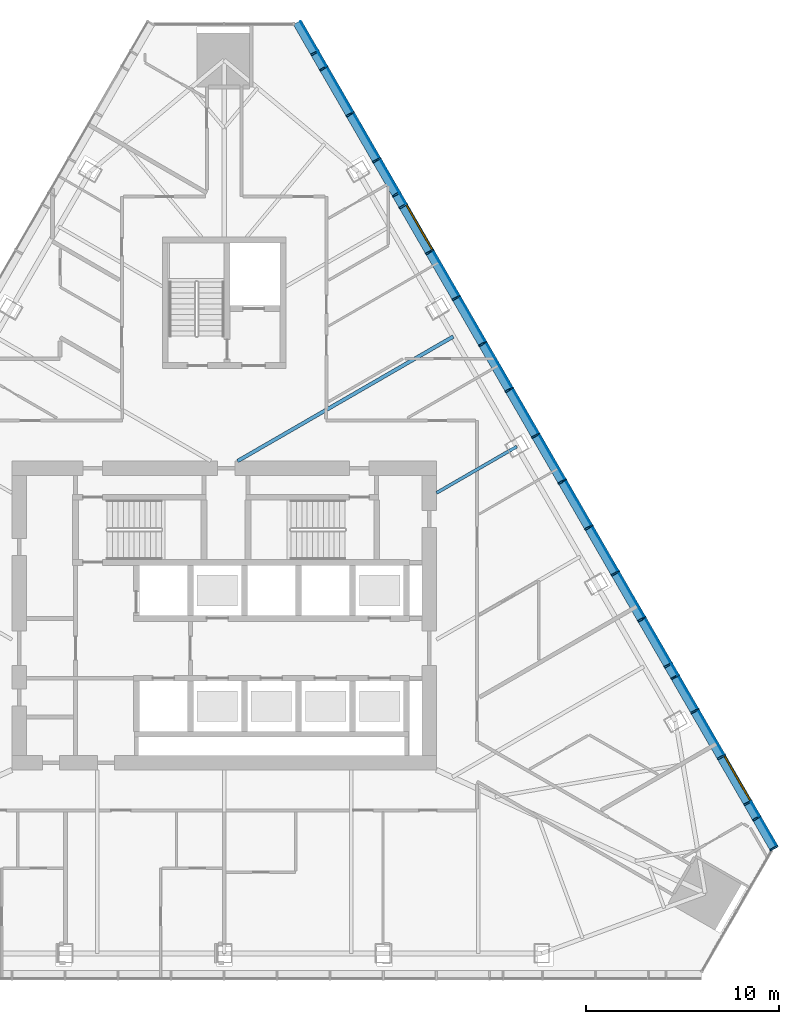
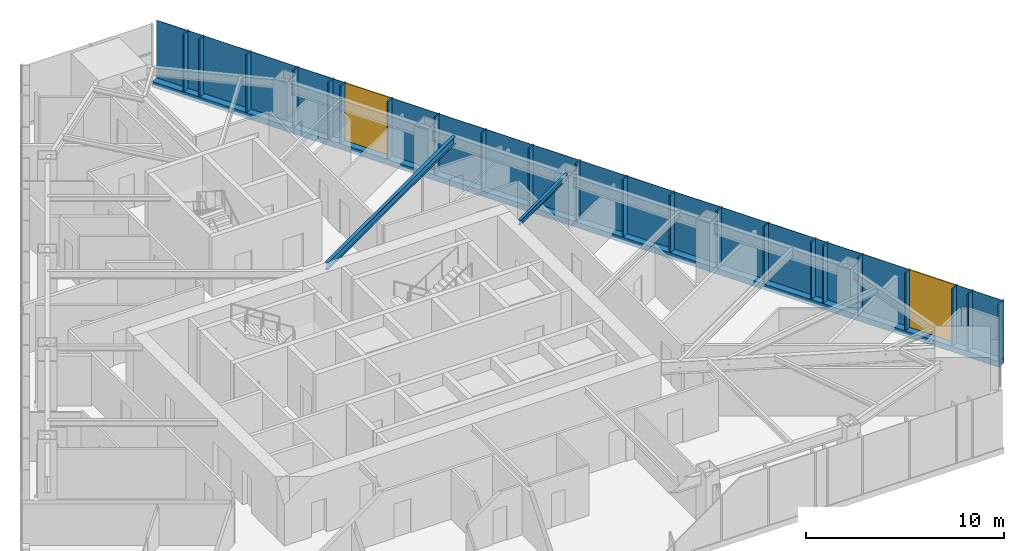
# One storey, part 7 of 16: 23 members, 20 plates, 2 beams, 2 windows, 2 openings, 1 element without a shape of its own.
"""IFC4 building model written with IfcOpenShell, lengths in metres."""

from ifc_helpers import new_model, si_unit, direction, frame, frame_2d, origin, origin_2d, place, context, subcontext, project, spatial, polyline, rectangle, i_section, outline, extrude, material, layer, layer_set, material_profile, profile_set, type_object, element, fill, aggregate, save


model = new_model("IFC4")

# Units and contexts
model_context = context("Model", 3, precision=1e-05, world=origin(), true_north=direction((0.0, 1.0)))
body_context = subcontext(model_context, "Body", "Model", "MODEL_VIEW")
ifc_project = project(units=[si_unit("LENGTHUNIT", "METRE"), si_unit("AREAUNIT", "SQUARE_METRE"), si_unit("VOLUMEUNIT", "CUBIC_METRE"), si_unit("PLANEANGLEUNIT", "RADIAN"), si_unit("MASSUNIT", "GRAM", prefix="KILO")], contexts=[model_context])

# Site, building, storey
site_placement = place(None, origin())
site = spatial("IfcSite", under=ifc_project, at=site_placement, CompositionType="ELEMENT")
building_placement = place(site_placement, origin())
building = spatial("IfcBuilding", under=site, at=building_placement, Name="Firuza Gate Tower and Library", CompositionType="ELEMENT")
storey_placement = place(building_placement, frame((0.0, 0.0, 229.89990234375)))
storey = spatial("IfcBuildingStorey", under=building, at=storey_placement, Name="L54", CompositionType="ELEMENT", Elevation=229.89990234375)

# Curtain wall, openings, members
ifc_material_1 = material(Name="Aluminium 6063-T6", Category="aluminium")
ifc_layer_1 = layer(ifc_material_1, 0.14990234375)
ifc_layer_set_1 = layer_set([ifc_layer_1], Name="Unitised curtain wall, hotel")
curtain_wall_type = type_object("IfcCurtainWallType", Name="Unitised curtain wall, hotel", PredefinedType="NOTDEFINED", material=ifc_layer_set_1)
curtain_wall_placement = place(storey_placement, origin())
curtain_wall = element("IfcCurtainWall", 1, at=curtain_wall_placement, inside=storey, type_object=curtain_wall_type, Name="CW2 L54 E face", PredefinedType="NOTDEFINED")
opening_1_placement = place(curtain_wall_placement, frame((102.255615234375, 65.40966796875, 0.150146484375), z_axis=(0.0, 0.0, 1.0), x_axis=(-0.5, 0.866025, 0.0)))
opening_1 = element("IfcOpeningElement", 2, at=opening_1_placement, cuts=curtain_wall, Name="Opening WD1-001", PredefinedType="OPENING", context=body_context, shape_type="SweptSolid", body=[
    extrude(rectangle(XDim=2.666748046875, YDim=3.550048828125, at=frame_2d((1.33349609375, 1.77490234375))), frame((0.0, 0.0849609375, 0.0), z_axis=(0.0, -1.0, 0.0), x_axis=(1.0, 0.0, 0.0)), (0.0, 0.0, 1.0), 0.169921875),
])
opening_2_placement = place(curtain_wall_placement, frame((85.775634765625, 93.953857421875, 0.150146484375), z_axis=(0.0, 0.0, 1.0), x_axis=(-0.5, 0.866025, 0.0)))
opening_2 = element("IfcOpeningElement", 3, at=opening_2_placement, cuts=curtain_wall, Name="Opening WD1-002", PredefinedType="OPENING", context=body_context, shape_type="SweptSolid", body=[
    extrude(rectangle(XDim=2.666748046875, YDim=3.550048828125, at=frame_2d((1.33349609375, 1.77490234375))), frame((0.0, 0.0849609375, 0.0), z_axis=(0.0, -1.0, 0.0), x_axis=(1.0, 0.0, 0.0)), (0.0, 0.0, 1.0), 0.169921875),
])
ifc_material_2 = material(Name="Aluminium 6063-T6", Category="aluminium")
ifc_material_profile_1 = material_profile(ifc_material_2, rectangle(XDim=0.47998046875, YDim=0.080078125, at=origin_2d()))
ifc_profile_set_1 = profile_set([ifc_material_profile_1], Name="Aluminium 6063-T6")
member_type_1 = type_object("IfcMemberType", Name="Curtain wall mullion 80x480", PredefinedType="MULLION", material=ifc_profile_set_1)
member_1_placement = place(storey_placement, frame((103.486083984375, 62.948486328125, 0.150146484375), z_axis=(0.0, 0.0, 1.0), x_axis=(-0.866025403784, -0.5, 0.0)))
member_1 = element("IfcMember", 4, at=member_1_placement, type_object=member_type_1, Name="Mullion", PredefinedType="MULLION", context=body_context, shape_type="SweptSolid", body=[
    extrude(rectangle(XDim=0.47998046875, YDim=0.080078125, at=origin_2d()), origin(), (0.0, 0.0, 1.0), 3.550048828125),
])
member_2_placement = place(storey_placement, frame((102.1328125, 65.29248046875, 0.150146484375), z_axis=(0.0, 0.0, 1.0), x_axis=(-0.866025403784, -0.5, 0.0)))
member_2 = element("IfcMember", 5, at=member_2_placement, type_object=member_type_1, Name="Mullion", PredefinedType="MULLION", context=body_context, shape_type="SweptSolid", body=[
    extrude(rectangle(XDim=0.47998046875, YDim=0.080078125, at=origin_2d()), origin(), (0.0, 0.0, 1.0), 3.550048828125),
])
member_3_placement = place(storey_placement, frame((100.759521484375, 67.671142578125, 0.150146484375), z_axis=(0.0, 0.0, 1.0), x_axis=(-0.866025403784, -0.5, 0.0)))
member_3 = element("IfcMember", 6, at=member_3_placement, type_object=member_type_1, Name="Mullion", PredefinedType="MULLION", context=body_context, shape_type="SweptSolid", body=[
    extrude(rectangle(XDim=0.47998046875, YDim=0.080078125, at=origin_2d()), origin(), (0.0, 0.0, 1.0), 3.550048828125),
])
member_4_placement = place(storey_placement, frame((99.38623046875, 70.050048828125, 0.150146484375), z_axis=(0.0, 0.0, 1.0), x_axis=(-0.866025403784, -0.5, 0.0)))
member_4 = element("IfcMember", 7, at=member_4_placement, type_object=member_type_1, Name="Mullion", PredefinedType="MULLION", context=body_context, shape_type="SweptSolid", body=[
    extrude(rectangle(XDim=0.47998046875, YDim=0.080078125, at=origin_2d()), origin(), (0.0, 0.0, 1.0), 3.550048828125),
])
member_5_placement = place(storey_placement, frame((98.0126953125, 72.4287109375, 0.150146484375), z_axis=(0.0, 0.0, 1.0), x_axis=(-0.866025403784, -0.5, 0.0)))
member_5 = element("IfcMember", 8, at=member_5_placement, type_object=member_type_1, Name="Mullion", PredefinedType="MULLION", context=body_context, shape_type="SweptSolid", body=[
    extrude(rectangle(XDim=0.47998046875, YDim=0.080078125, at=origin_2d()), origin(), (0.0, 0.0, 1.0), 3.550048828125),
])
member_6_placement = place(storey_placement, frame((96.639404296875, 74.807373046875, 0.150146484375), z_axis=(0.0, 0.0, 1.0), x_axis=(-0.866025403784, -0.5, 0.0)))
member_6 = element("IfcMember", 9, at=member_6_placement, type_object=member_type_1, Name="Mullion", PredefinedType="MULLION", context=body_context, shape_type="SweptSolid", body=[
    extrude(rectangle(XDim=0.47998046875, YDim=0.080078125, at=origin_2d()), origin(), (0.0, 0.0, 1.0), 3.550048828125),
])
member_7_placement = place(storey_placement, frame((95.26611328125, 77.18603515625, 0.150146484375), z_axis=(0.0, 0.0, 1.0), x_axis=(-0.866025403784, -0.5, 0.0)))
member_7 = element("IfcMember", 10, at=member_7_placement, type_object=member_type_1, Name="Mullion", PredefinedType="MULLION", context=body_context, shape_type="SweptSolid", body=[
    extrude(rectangle(XDim=0.47998046875, YDim=0.080078125, at=origin_2d()), origin(), (0.0, 0.0, 1.0), 3.550048828125),
])
member_8_placement = place(storey_placement, frame((93.892822265625, 79.564697265625, 0.150146484375), z_axis=(0.0, 0.0, 1.0), x_axis=(-0.866025403784, -0.5, 0.0)))
member_8 = element("IfcMember", 11, at=member_8_placement, type_object=member_type_1, Name="Mullion", PredefinedType="MULLION", context=body_context, shape_type="SweptSolid", body=[
    extrude(rectangle(XDim=0.47998046875, YDim=0.080078125, at=origin_2d()), origin(), (0.0, 0.0, 1.0), 3.550048828125),
])
member_9_placement = place(storey_placement, frame((92.51953125, 81.943359375, 0.150146484375), z_axis=(0.0, 0.0, 1.0), x_axis=(-0.866025403784, -0.5, 0.0)))
member_9 = element("IfcMember", 12, at=member_9_placement, type_object=member_type_1, Name="Mullion", PredefinedType="MULLION", context=body_context, shape_type="SweptSolid", body=[
    extrude(rectangle(XDim=0.47998046875, YDim=0.080078125, at=origin_2d()), origin(), (0.0, 0.0, 1.0), 3.550048828125),
])
member_10_placement = place(storey_placement, frame((91.146240234375, 84.322021484375, 0.150146484375), z_axis=(0.0, 0.0, 1.0), x_axis=(-0.866025403784, -0.5, 0.0)))
member_10 = element("IfcMember", 13, at=member_10_placement, type_object=member_type_1, Name="Mullion", PredefinedType="MULLION", context=body_context, shape_type="SweptSolid", body=[
    extrude(rectangle(XDim=0.47998046875, YDim=0.080078125, at=origin_2d()), origin(), (0.0, 0.0, 1.0), 3.550048828125),
])
member_11_placement = place(storey_placement, frame((89.77294921875, 86.70068359375, 0.150146484375), z_axis=(0.0, 0.0, 1.0), x_axis=(-0.866025403784, -0.5, 0.0)))
member_11 = element("IfcMember", 14, at=member_11_placement, type_object=member_type_1, Name="Mullion", PredefinedType="MULLION", context=body_context, shape_type="SweptSolid", body=[
    extrude(rectangle(XDim=0.47998046875, YDim=0.080078125, at=origin_2d()), origin(), (0.0, 0.0, 1.0), 3.550048828125),
])
member_12_placement = place(storey_placement, frame((88.3994140625, 89.079345703125, 0.150146484375), z_axis=(0.0, 0.0, 1.0), x_axis=(-0.866025403784, -0.5, 0.0)))
member_12 = element("IfcMember", 15, at=member_12_placement, type_object=member_type_1, Name="Mullion", PredefinedType="MULLION", context=body_context, shape_type="SweptSolid", body=[
    extrude(rectangle(XDim=0.47998046875, YDim=0.080078125, at=origin_2d()), origin(), (0.0, 0.0, 1.0), 3.550048828125),
])
member_13_placement = place(storey_placement, frame((87.026123046875, 91.4580078125, 0.150146484375), z_axis=(0.0, 0.0, 1.0), x_axis=(-0.866025403784, -0.5, 0.0)))
member_13 = element("IfcMember", 16, at=member_13_placement, type_object=member_type_1, Name="Mullion", PredefinedType="MULLION", context=body_context, shape_type="SweptSolid", body=[
    extrude(rectangle(XDim=0.47998046875, YDim=0.080078125, at=origin_2d()), origin(), (0.0, 0.0, 1.0), 3.550048828125),
])
member_14_placement = place(storey_placement, frame((85.65283203125, 93.836669921875, 0.150146484375), z_axis=(0.0, 0.0, 1.0), x_axis=(-0.866025403784, -0.5, 0.0)))
member_14 = element("IfcMember", 17, at=member_14_placement, type_object=member_type_1, Name="Mullion", PredefinedType="MULLION", context=body_context, shape_type="SweptSolid", body=[
    extrude(rectangle(XDim=0.47998046875, YDim=0.080078125, at=origin_2d()), origin(), (0.0, 0.0, 1.0), 3.550048828125),
])
member_15_placement = place(storey_placement, frame((84.279541015625, 96.21533203125, 0.150146484375), z_axis=(0.0, 0.0, 1.0), x_axis=(-0.866025403784, -0.5, 0.0)))
member_15 = element("IfcMember", 18, at=member_15_placement, type_object=member_type_1, Name="Mullion", PredefinedType="MULLION", context=body_context, shape_type="SweptSolid", body=[
    extrude(rectangle(XDim=0.47998046875, YDim=0.080078125, at=origin_2d()), origin(), (0.0, 0.0, 1.0), 3.550048828125),
])
member_16_placement = place(storey_placement, frame((82.90625, 98.593994140625, 0.150146484375), z_axis=(0.0, 0.0, 1.0), x_axis=(-0.866025403784, -0.5, 0.0)))
member_16 = element("IfcMember", 19, at=member_16_placement, type_object=member_type_1, Name="Mullion", PredefinedType="MULLION", context=body_context, shape_type="SweptSolid", body=[
    extrude(rectangle(XDim=0.47998046875, YDim=0.080078125, at=origin_2d()), origin(), (0.0, 0.0, 1.0), 3.550048828125),
])
member_17_placement = place(storey_placement, frame((81.532958984375, 100.97265625, 0.150146484375), z_axis=(0.0, 0.0, 1.0), x_axis=(-0.866025403784, -0.5, 0.0)))
member_17 = element("IfcMember", 20, at=member_17_placement, type_object=member_type_1, Name="Mullion", PredefinedType="MULLION", context=body_context, shape_type="SweptSolid", body=[
    extrude(rectangle(XDim=0.47998046875, YDim=0.080078125, at=origin_2d()), origin(), (0.0, 0.0, 1.0), 3.550048828125),
])
member_18_placement = place(storey_placement, frame((80.159423828125, 103.351318359375, 0.150146484375), z_axis=(0.0, 0.0, 1.0), x_axis=(-0.866025403784, -0.5, 0.0)))
member_18 = element("IfcMember", 21, at=member_18_placement, type_object=member_type_1, Name="Mullion", PredefinedType="MULLION", context=body_context, shape_type="SweptSolid", body=[
    extrude(rectangle(XDim=0.47998046875, YDim=0.080078125, at=origin_2d()), origin(), (0.0, 0.0, 1.0), 3.550048828125),
])
member_19_placement = place(storey_placement, frame((102.591796875, 64.49755859375, 0.150146484375), z_axis=(0.0, 0.0, 1.0), x_axis=(-0.866025403784, -0.5, 0.0)))
member_19 = element("IfcMember", 22, at=member_19_placement, type_object=member_type_1, Name="Mullion", PredefinedType="MULLION", context=body_context, shape_type="SweptSolid", body=[
    extrude(rectangle(XDim=0.47998046875, YDim=0.080078125, at=origin_2d()), origin(), (0.0, 0.0, 1.0), 3.550048828125),
])
member_20_placement = place(storey_placement, frame((98.364013671875, 71.8203125, 0.150146484375), z_axis=(0.0, 0.0, 1.0), x_axis=(-0.866025403784, -0.5, 0.0)))
member_20 = element("IfcMember", 23, at=member_20_placement, type_object=member_type_1, Name="Mullion", PredefinedType="MULLION", context=body_context, shape_type="SweptSolid", body=[
    extrude(rectangle(XDim=0.47998046875, YDim=0.080078125, at=origin_2d()), origin(), (0.0, 0.0, 1.0), 3.550048828125),
])
member_21_placement = place(storey_placement, frame((83.928466796875, 96.823486328125, 0.150146484375), z_axis=(0.0, 0.0, 1.0), x_axis=(-0.866025403784, -0.5, 0.0)))
member_21 = element("IfcMember", 24, at=member_21_placement, type_object=member_type_1, Name="Mullion", PredefinedType="MULLION", context=body_context, shape_type="SweptSolid", body=[
    extrude(rectangle(XDim=0.47998046875, YDim=0.080078125, at=origin_2d()), origin(), (0.0, 0.0, 1.0), 3.550048828125),
])
member_22_placement = place(storey_placement, frame((79.700439453125, 104.146484375, 0.150146484375), z_axis=(0.0, 0.0, 1.0), x_axis=(-0.866025403784, -0.5, 0.0)))
member_22 = element("IfcMember", 25, at=member_22_placement, type_object=member_type_1, Name="Mullion", PredefinedType="MULLION", context=body_context, shape_type="SweptSolid", body=[
    extrude(rectangle(XDim=0.47998046875, YDim=0.080078125, at=origin_2d()), origin(), (0.0, 0.0, 1.0), 3.550048828125),
])
ifc_material_3 = material(Name="Aluminium 6063-T6", Category="aluminium")
ifc_material_profile_2 = material_profile(ifc_material_3, rectangle(XDim=0.47998046875, YDim=0.35009765625, at=origin_2d()))
ifc_profile_set_2 = profile_set([ifc_material_profile_2], Name="Aluminium 6063-T6")
member_type_2 = type_object("IfcMemberType", Name="Curtain wall transom 350x480", PredefinedType="USERDEFINED", material=ifc_profile_set_2)
member_23_placement = place(storey_placement, frame((103.506103515625, 62.913818359375, -0.02490234375), z_axis=(-0.500000727908, 0.866024983526, 0.0), x_axis=(-0.866024983526, -0.500000727908, 0.0)))
member_23 = element("IfcMember", 26, at=member_23_placement, type_object=member_type_2, Name="Transom", ObjectType="TRANSOM", PredefinedType="USERDEFINED", context=body_context, shape_type="SweptSolid", body=[
    extrude(rectangle(XDim=0.47998046875, YDim=0.35009765625, at=origin_2d()), origin(), (0.0, 0.0, 1.0), 49.43994140625),
])

# Beams
ifc_material_4 = material(Name="Steel S355", Category="steel")
ifc_material_profile_3 = material_profile(ifc_material_4, i_section(OverallWidth=0.1650390625, OverallDepth=0.31005859375, WebThickness=0.005859375, FlangeThickness=0.009765625, at=origin_2d()))
ifc_profile_set_3 = profile_set([ifc_material_profile_3], Name="Steel S355")
beam_type_1 = type_object("IfcBeamType", Name="W310x39 Floor beam", PredefinedType="JOIST", material=ifc_profile_set_3)
beam_1_placement = place(storey_placement, frame((90.158935546875, 83.751953125, 3.545166015625), z_axis=(-0.866028966346, -0.499993829411, 0.0), x_axis=(0.499993829411, -0.866028966346, 0.0)))
element("IfcBeam", 27, at=beam_1_placement, inside=storey, type_object=beam_type_1, Name="Floor beam L54 s52", PredefinedType="JOIST", context=body_context, shape_type="SweptSolid", body=[
    extrude(i_section(OverallWidth=0.1650390625, OverallDepth=0.31005859375, WebThickness=0.005859375, FlangeThickness=0.009765625, at=origin_2d()), origin(), (0.0, 0.0, 1.0), 4.80224609375),
])
ifc_material_5 = material(Name="Steel S355", Category="steel")
ifc_material_profile_4 = material_profile(ifc_material_5, i_section(OverallWidth=0.18994140625, OverallDepth=0.45703125, WebThickness=0.009033203125, FlangeThickness=0.014404296875, at=origin_2d()))
ifc_profile_set_4 = profile_set([ifc_material_profile_4], Name="Steel S355")
beam_type_2 = type_object("IfcBeamType", Name="W460x74 Floor beam", PredefinedType="JOIST", material=ifc_profile_set_4)
beam_2_placement = place(storey_placement, frame((86.86865234375, 89.450927734375, 3.4716796875), z_axis=(-0.866020774712, -0.500008017704, 0.0), x_axis=(0.500008017704, -0.866020774712, 0.0)))
element("IfcBeam", 28, at=beam_2_placement, inside=storey, type_object=beam_type_2, Name="Floor beam L54 s53", PredefinedType="JOIST", context=body_context, shape_type="SweptSolid", body=[
    extrude(i_section(OverallWidth=0.18994140625, OverallDepth=0.45703125, WebThickness=0.009033203125, FlangeThickness=0.014404296875, at=origin_2d()), origin(), (0.0, 0.0, 1.0), 12.901611328125),
])

# Plate
ifc_material_6 = material(Name="Fritted glass", Category="glass")
ifc_layer_2 = layer(ifc_material_6, 0.030029296875)
ifc_layer_set_2 = layer_set([ifc_layer_2], Name="Fritted glass unit, hotel")
plate_type_1 = type_object("IfcPlateType", Name="Fritted glass unit, hotel", PredefinedType="CURTAIN_PANEL", material=ifc_layer_set_2)
plate_1_placement = place(storey_placement, frame((102.727783203125, 64.622314453125, 0.150146484375), z_axis=(0.865884704285, 0.500243619535, 0.0), x_axis=(-0.500243619535, 0.865884704285, 0.0)))
plate_1 = element("IfcPlate", 29, at=plate_1_placement, type_object=plate_type_1, Name="Glass unit", PredefinedType="CURTAIN_PANEL", context=body_context, shape_type="SweptSolid", body=[
    extrude(outline(polyline([(0.0, 0.0), (0.8379706142276055, 0.0), (0.8379706142276055, 3.550048828125), (0.0, 3.550048828125), (0.0, 0.0)])), origin(), (0.0, 0.0, -1.0), 0.030029296875),
])

plate_2_placement = place(storey_placement, frame((98.499755859375, 71.945068359375, 0.150146484375), z_axis=(0.866061432277, 0.499937591627, 0.0), x_axis=(-0.499937591627, 0.866061432277, 0.0)))
plate_2 = element("IfcPlate", 30, at=plate_2_placement, type_object=plate_type_1, Name="Glass unit", PredefinedType="CURTAIN_PANEL", context=body_context, shape_type="SweptSolid", body=[
    extrude(outline(polyline([(0.0, 0.0), (0.622147966984566, 0.0), (0.622147966984566, 3.5500488281249996), (0.0, 3.5500488281249996), (0.0, 0.0)])), origin(), (0.0, 0.0, -1.0), 0.030029296875),
])

plate_3_placement = place(storey_placement, frame((98.148681640625, 72.55322265625, 0.150146484375), z_axis=(0.866031596129, 0.499989274391, 0.0), x_axis=(-0.499989274391, 0.866031596129, 0.0)))
plate_3 = element("IfcPlate", 31, at=plate_3_placement, type_object=plate_type_1, Name="Glass unit", PredefinedType="CURTAIN_PANEL", context=body_context, shape_type="SweptSolid", body=[
    extrude(outline(polyline([(0.0, 0.0), (2.6665611072350224, 0.0), (2.6665611072350224, 3.550048828125001), (0.0, 3.550048828125001), (0.0, 0.0)])), origin(), (0.0, 0.0, -1.0), 0.030029296875),
])

plate_4_placement = place(storey_placement, frame((94.02880859375, 79.689208984375, 0.150146484375), z_axis=(0.866014841347, 0.500018294232, 0.0), x_axis=(-0.500018294232, 0.866014841347, 0.0)))
plate_4 = element("IfcPlate", 32, at=plate_4_placement, type_object=plate_type_1, Name="Glass unit", PredefinedType="CURTAIN_PANEL", context=body_context, shape_type="SweptSolid", body=[
    extrude(outline(polyline([(0.0, 0.0), (2.6668946099214077, 0.0), (2.6668946099214077, 3.550048828125), (0.0, 3.550048828125), (0.0, 0.0)])), origin(), (0.0, 0.0, -1.0), 0.030029296875),
])

plate_5_placement = place(storey_placement, frame((89.90869140625, 86.8251953125, 0.150146484375), z_axis=(0.866054481515, 0.499949632511, 0.0), x_axis=(-0.499949632511, 0.866054481515, 0.0)))
plate_5 = element("IfcPlate", 33, at=plate_5_placement, type_object=plate_type_1, Name="Glass unit", PredefinedType="CURTAIN_PANEL", context=body_context, shape_type="SweptSolid", body=[
    extrude(outline(polyline([(0.0, 0.0), (2.6667725435239085, 0.0), (2.6667725435239085, 3.550048828125001), (0.0, 3.550048828125001), (0.0, 0.0)])), origin(), (0.0, 0.0, -1.0), 0.030029296875),
])

plate_6_placement = place(storey_placement, frame((84.415283203125, 96.340087890625, 0.150146484375), z_axis=(0.866061432277, 0.499937591627, 0.0), x_axis=(-0.499937591627, 0.866061432277, 0.0)))
plate_6 = element("IfcPlate", 34, at=plate_6_placement, type_object=plate_type_1, Name="Glass unit", PredefinedType="CURTAIN_PANEL", context=body_context, shape_type="SweptSolid", body=[
    extrude(outline(polyline([(0.0, 0.0), (0.622147966984566, 0.0), (0.622147966984566, 3.5500488281249996), (0.0, 3.5500488281249996), (0.0, 0.0)])), origin(), (0.0, 0.0, -1.0), 0.030029296875),
])

plate_7_placement = place(storey_placement, frame((81.668701171875, 101.097412109375, 0.150146484375), z_axis=(0.866031596129, 0.499989274391, 0.0), x_axis=(-0.499989274391, 0.866031596129, 0.0)))
plate_7 = element("IfcPlate", 35, at=plate_7_placement, type_object=plate_type_1, Name="Glass unit", PredefinedType="CURTAIN_PANEL", context=body_context, shape_type="SweptSolid", body=[
    extrude(outline(polyline([(0.0, 0.0), (2.6665611072350224, 0.0), (2.6665611072350224, 3.550048828125001), (0.0, 3.550048828125001), (0.0, 0.0)])), origin(), (0.0, 0.0, -1.0), 0.030029296875),
])

plate_8_placement = place(storey_placement, frame((80.29541015625, 103.47607421875, 0.150146484375), z_axis=(0.866010893236, 0.500025132165, 0.0), x_axis=(-0.500025132165, 0.866010893236, 0.0)))
plate_8 = element("IfcPlate", 36, at=plate_8_placement, type_object=plate_type_1, Name="Glass unit", PredefinedType="CURTAIN_PANEL", context=body_context, shape_type="SweptSolid", body=[
    extrude(outline(polyline([(0.0, 0.0), (0.8378485111065582, 0.0), (0.8378485111065582, 3.550048828125), (0.0, 3.550048828125), (0.0, 0.0)])), origin(), (0.0, 0.0, -1.0), 0.030029296875),
])

ifc_material_7 = material(Name="Glazed ceramic tile")
ifc_layer_3 = layer(ifc_material_7, 0.030029296875)
ifc_layer_set_3 = layer_set([ifc_layer_3], Name="Opaque ceramic panel, hotel")
plate_type_2 = type_object("IfcPlateType", Name="Opaque ceramic panel, hotel", PredefinedType="CURTAIN_PANEL", material=ifc_layer_set_3)
plate_9_placement = place(storey_placement, frame((103.64208984375, 63.03857421875, 0.150146484375), z_axis=(0.865983309407, 0.500072902514, 0.0), x_axis=(-0.500072902514, 0.865983309407, 0.0)))
plate_9 = element("IfcPlate", 37, at=plate_9_placement, type_object=plate_type_2, Name="Opaque ceramic panel", PredefinedType="CURTAIN_PANEL", context=body_context, shape_type="SweptSolid", body=[
    extrude(outline(polyline([(0.0, 0.0), (1.748768458265571, 0.0), (1.748768458265571, 3.550048828125), (0.0, 3.550048828125), (0.0, 0.0)])), origin(), (0.0, 0.0, -1.0), 0.030029296875),
])

plate_10_placement = place(storey_placement, frame((100.895263671875, 67.7958984375, 0.150146484375), z_axis=(0.866031596129, 0.499989274391, 0.0), x_axis=(-0.499989274391, 0.866031596129, 0.0)))
plate_10 = element("IfcPlate", 38, at=plate_10_placement, type_object=plate_type_2, Name="Opaque ceramic panel", PredefinedType="CURTAIN_PANEL", context=body_context, shape_type="SweptSolid", body=[
    extrude(outline(polyline([(0.0, 0.0), (2.6665611072350224, 0.0), (2.6665611072350224, 3.550048828125001), (0.0, 3.550048828125001), (0.0, 0.0)])), origin(), (0.0, 0.0, -1.0), 0.030029296875),
])

plate_11_placement = place(storey_placement, frame((99.52197265625, 70.174560546875, 0.150146484375), z_axis=(0.86602414853, 0.500002174158, 0.0), x_axis=(-0.500002174158, 0.86602414853, 0.0)))
plate_11 = element("IfcPlate", 39, at=plate_11_placement, type_object=plate_type_2, Name="Opaque ceramic panel", PredefinedType="CURTAIN_PANEL", context=body_context, shape_type="SweptSolid", body=[
    extrude(outline(polyline([(0.0, 0.0), (1.9643469271472958, 0.0), (1.9643469271472958, 3.550048828125), (0.0, 3.550048828125), (0.0, 0.0)])), origin(), (0.0, 0.0, -1.0), 0.030029296875),
])

plate_12_placement = place(storey_placement, frame((96.775390625, 74.931884765625, 0.150146484375), z_axis=(0.866031596129, 0.499989274391, 0.0), x_axis=(-0.499989274391, 0.866031596129, 0.0)))
plate_12 = element("IfcPlate", 40, at=plate_12_placement, type_object=plate_type_2, Name="Opaque ceramic panel", PredefinedType="CURTAIN_PANEL", context=body_context, shape_type="SweptSolid", body=[
    extrude(outline(polyline([(0.0, 0.0), (2.6665611072350224, 0.0), (2.6665611072350224, 3.550048828125001), (0.0, 3.550048828125001), (0.0, 0.0)])), origin(), (0.0, 0.0, -1.0), 0.030029296875),
])

plate_13_placement = place(storey_placement, frame((95.402099609375, 77.310546875, 0.150146484375), z_axis=(0.866014841347, 0.500018294232, 0.0), x_axis=(-0.500018294232, 0.866014841347, 0.0)))
plate_13 = element("IfcPlate", 41, at=plate_13_placement, type_object=plate_type_2, Name="Opaque ceramic panel", PredefinedType="CURTAIN_PANEL", context=body_context, shape_type="SweptSolid", body=[
    extrude(outline(polyline([(0.0, 0.0), (2.6668946099214077, 0.0), (2.6668946099214077, 3.550048828125), (0.0, 3.550048828125), (0.0, 0.0)])), origin(), (0.0, 0.0, -1.0), 0.030029296875),
])

plate_14_placement = place(storey_placement, frame((92.6552734375, 82.06787109375, 0.150146484375), z_axis=(0.866054481515, 0.499949632511, 0.0), x_axis=(-0.499949632511, 0.866054481515, 0.0)))
plate_14 = element("IfcPlate", 42, at=plate_14_placement, type_object=plate_type_2, Name="Opaque ceramic panel", PredefinedType="CURTAIN_PANEL", context=body_context, shape_type="SweptSolid", body=[
    extrude(outline(polyline([(0.0, 0.0), (2.6667725435239085, 0.0), (2.6667725435239085, 3.550048828125001), (0.0, 3.550048828125001), (0.0, 0.0)])), origin(), (0.0, 0.0, -1.0), 0.030029296875),
])

plate_15_placement = place(storey_placement, frame((91.281982421875, 84.446533203125, 0.150146484375), z_axis=(0.866054481515, 0.499949632511, 0.0), x_axis=(-0.499949632511, 0.866054481515, 0.0)))
plate_15 = element("IfcPlate", 43, at=plate_15_placement, type_object=plate_type_2, Name="Opaque ceramic panel", PredefinedType="CURTAIN_PANEL", context=body_context, shape_type="SweptSolid", body=[
    extrude(outline(polyline([(0.0, 0.0), (2.6667725435239085, 0.0), (2.6667725435239085, 3.550048828125001), (0.0, 3.550048828125001), (0.0, 0.0)])), origin(), (0.0, 0.0, -1.0), 0.030029296875),
])

plate_16_placement = place(storey_placement, frame((88.535400390625, 89.2041015625, 0.150146484375), z_axis=(0.866031596129, 0.499989274391, 0.0), x_axis=(-0.499989274391, 0.866031596129, 0.0)))
plate_16 = element("IfcPlate", 44, at=plate_16_placement, type_object=plate_type_2, Name="Opaque ceramic panel", PredefinedType="CURTAIN_PANEL", context=body_context, shape_type="SweptSolid", body=[
    extrude(outline(polyline([(0.0, 0.0), (2.6665611072350224, 0.0), (2.6665611072350224, 3.550048828125001), (0.0, 3.550048828125001), (0.0, 0.0)])), origin(), (0.0, 0.0, -1.0), 0.030029296875),
])

plate_17_placement = place(storey_placement, frame((87.162109375, 91.582763671875, 0.150146484375), z_axis=(0.865991950723, 0.500057937927, 0.0), x_axis=(-0.500057937927, 0.865991950723, 0.0)))
plate_17 = element("IfcPlate", 45, at=plate_17_placement, type_object=plate_type_2, Name="Opaque ceramic panel", PredefinedType="CURTAIN_PANEL", context=body_context, shape_type="SweptSolid", body=[
    extrude(outline(polyline([(0.0, 0.0), (2.666683183310937, 0.0), (2.666683183310937, 3.550048828125), (0.0, 3.550048828125), (0.0, 0.0)])), origin(), (0.0, 0.0, -1.0), 0.030029296875),
])

plate_18_placement = place(storey_placement, frame((84.064208984375, 96.9482421875, 0.150146484375), z_axis=(0.86602414853, 0.500002174158, 0.0), x_axis=(-0.500002174158, 0.86602414853, 0.0)))
plate_18 = element("IfcPlate", 46, at=plate_18_placement, type_object=plate_type_2, Name="Opaque ceramic panel", PredefinedType="CURTAIN_PANEL", context=body_context, shape_type="SweptSolid", body=[
    extrude(outline(polyline([(0.0, 0.0), (1.9643469271472958, 0.0), (1.9643469271472958, 3.550048828125), (0.0, 3.550048828125), (0.0, 0.0)])), origin(), (0.0, 0.0, -1.0), 0.030029296875),
])

plate_19_placement = place(storey_placement, frame((83.0419921875, 98.71875, 0.150146484375), z_axis=(0.866031596129, 0.499989274391, 0.0), x_axis=(-0.499989274391, 0.866031596129, 0.0)))
plate_19 = element("IfcPlate", 47, at=plate_19_placement, type_object=plate_type_2, Name="Opaque ceramic panel", PredefinedType="CURTAIN_PANEL", context=body_context, shape_type="SweptSolid", body=[
    extrude(outline(polyline([(0.0, 0.0), (2.6665611072350224, 0.0), (2.6665611072350224, 3.550048828125001), (0.0, 3.550048828125001), (0.0, 0.0)])), origin(), (0.0, 0.0, -1.0), 0.030029296875),
])

plate_20_placement = place(storey_placement, frame((79.83642578125, 104.27099609375, 0.150146484375), z_axis=(0.866043764853, 0.499968196347, 0.0), x_axis=(-0.499968196347, 0.866043764853, 0.0)))
plate_20 = element("IfcPlate", 48, at=plate_20_placement, type_object=plate_type_2, Name="Opaque ceramic panel", PredefinedType="CURTAIN_PANEL", context=body_context, shape_type="SweptSolid", body=[
    extrude(outline(polyline([(0.0, 0.0), (1.748646382935674, 0.0), (1.748646382935674, 3.550048828125), (0.0, 3.550048828125), (0.0, 0.0)])), origin(), (0.0, 0.0, -1.0), 0.030029296875),
])

aggregate(curtain_wall, [member_1, member_2, member_3, member_4, member_5, member_6, member_7, member_8, member_9, member_10, member_11, member_12, member_13, member_14, member_15, member_16, member_17, member_18, member_23, plate_9, plate_1, member_19, plate_10, plate_11, plate_2, member_20, plate_3, plate_12, plate_13, plate_4, plate_14, plate_15, plate_5, plate_16, plate_17, plate_6, plate_18, member_21, plate_19, plate_7, plate_8, plate_20, member_22])

# Window
ifc_material_8 = material(Name="Aluminium 6063-T6 and glass", Category="aluminium")
ifc_layer_4 = layer(ifc_material_8, 0.030029296875)
ifc_layer_set_4 = layer_set([ifc_layer_4], Name="Operable glazed unit")
window_type = type_object("IfcWindowType", Name="Operable glazed unit", PartitioningType="SINGLE_PANEL", PredefinedType="WINDOW", material=ifc_layer_set_4)
window_1_placement = place(opening_1_placement, origin())
window_1 = element("IfcWindow", 49, at=window_1_placement, inside=storey, type_object=window_type, Name="Operable glazed unit", OverallHeight=3.550048828125, OverallWidth=2.666748046875, PartitioningType="SINGLE_PANEL", PredefinedType="WINDOW", context=body_context, shape_type="SweptSolid", body=[
    extrude(rectangle(XDim=2.666748046875, YDim=3.550048828125, at=frame_2d((1.33349609375, 1.77490234375))), frame((0.0, 0.030029296875, 0.0), z_axis=(0.0, -1.0, 0.0), x_axis=(1.0, 0.0, 0.0)), (0.0, 0.0, 1.0), 0.06005859375),
])

fill(opening_1, window_1)

window_2_placement = place(opening_2_placement, origin())
window_2 = element("IfcWindow", 50, at=window_2_placement, inside=storey, type_object=window_type, Name="Operable glazed unit", OverallHeight=3.550048828125, OverallWidth=2.666748046875, PartitioningType="SINGLE_PANEL", PredefinedType="WINDOW", context=body_context, shape_type="SweptSolid", body=[
    extrude(rectangle(XDim=2.666748046875, YDim=3.550048828125, at=frame_2d((1.33349609375, 1.77490234375))), frame((0.0, 0.030029296875, 0.0), z_axis=(0.0, -1.0, 0.0), x_axis=(1.0, 0.0, 0.0)), (0.0, 0.0, 1.0), 0.06005859375),
])

fill(opening_2, window_2)

save(model, "model.ifc")
